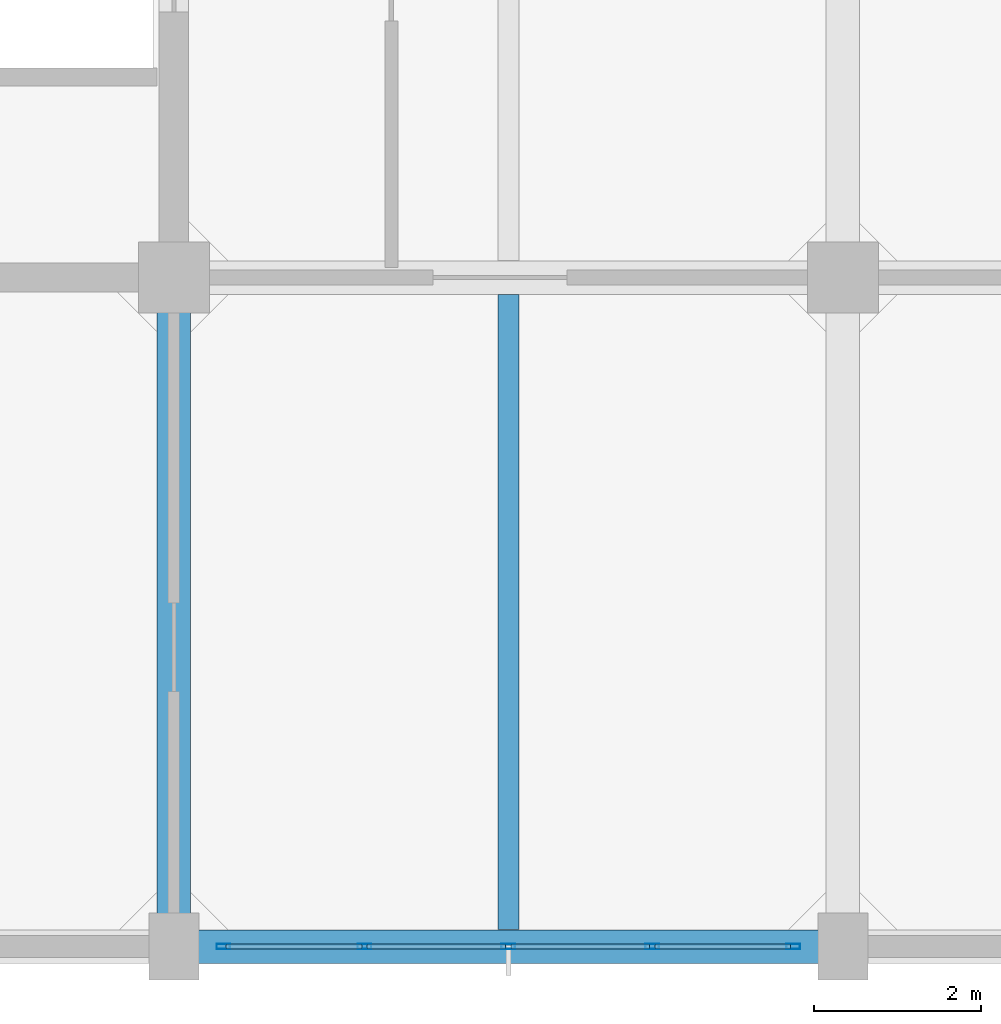
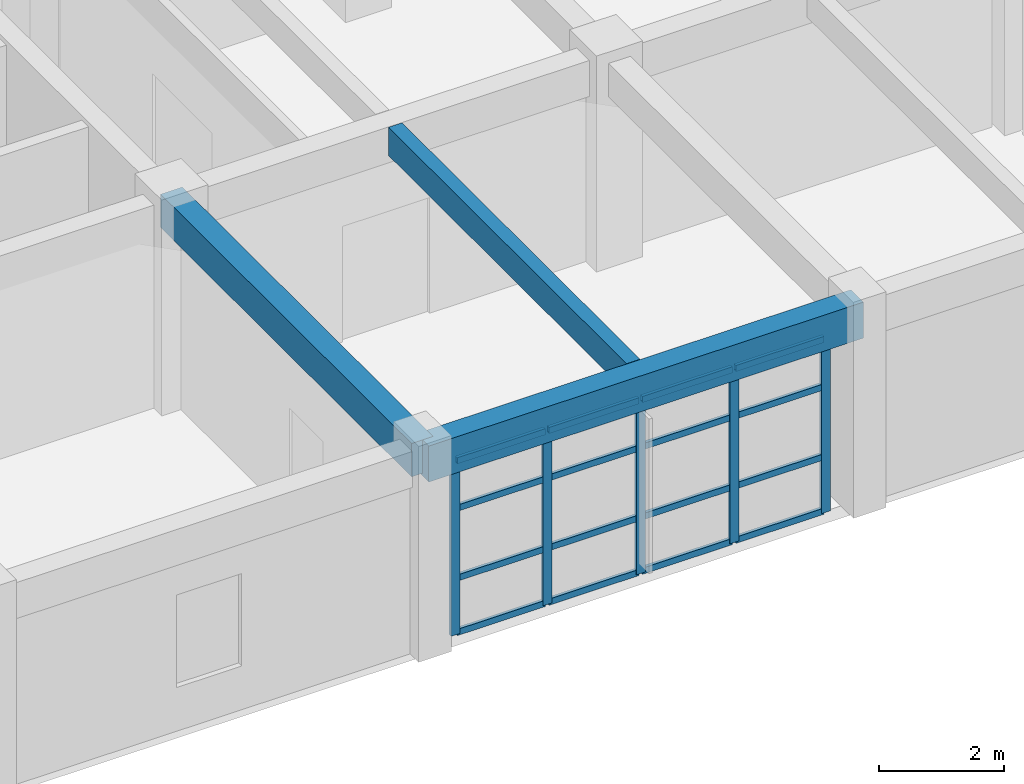
# One storey, part 5 of 27: 21 members, 3 beams, 1 element without a shape of its own.
"""IFC4 building model written with IfcOpenShell, lengths in metres."""

from ifc_helpers import new_model, si_unit, direction, frame, origin, origin_2d, place, context, subcontext, project, spatial, rectangle, hollow_rectangle, extrude, material, layer, layer_set, material_profile, profile_set, type_object, element, aggregate, save


model = new_model("IFC4")

# Units and contexts
model_context = context("Model", 3, precision=1e-05, world=origin(), true_north=direction((0.0, 1.0)))
body_context = subcontext(model_context, "Body", "Model", "MODEL_VIEW")
ifc_project = project(units=[si_unit("LENGTHUNIT", "METRE"), si_unit("AREAUNIT", "SQUARE_METRE"), si_unit("VOLUMEUNIT", "CUBIC_METRE"), si_unit("PLANEANGLEUNIT", "RADIAN"), si_unit("MASSUNIT", "GRAM", prefix="KILO")], contexts=[model_context])

# Site, building, storey
site_placement = place(None, origin())
site = spatial("IfcSite", under=ifc_project, at=site_placement, CompositionType="ELEMENT")
building_placement = place(site_placement, origin())
building = spatial("IfcBuilding", under=site, at=building_placement, Name="Canggui Botanical Conservatory", CompositionType="ELEMENT")
storey_placement = place(building_placement, frame((0.0, 0.0, 31.800048828125)))
storey = spatial("IfcBuildingStorey", under=building, at=storey_placement, Name="L08", CompositionType="ELEMENT", Elevation=31.800048828125)

# Beams
ifc_material_1 = material(Name="Concrete C35", Category="concrete")
ifc_material_profile_1 = material_profile(ifc_material_1, rectangle(XDim=0.25, YDim=0.550048828125, at=origin_2d()), Name="RB 250x550")
ifc_profile_set_1 = profile_set([ifc_material_profile_1], Name="Concrete C35")
beam_type_1 = type_object("IfcBeamType", Name="BM-JST03", PredefinedType="JOIST", material=ifc_profile_set_1)
beam_1_placement = place(storey_placement, frame((166.0, 34.205078125, 3.704833984375), z_axis=(0.0, 1.0, 0.0), x_axis=(-1.0, 0.0, 0.0)))
element("IfcBeam", 1, at=beam_1_placement, inside=storey, type_object=beam_type_1, Name="Secondary Floor Joist L08-4-1", PredefinedType="JOIST", context=body_context, shape_type="SweptSolid", body=[
    extrude(rectangle(XDim=0.25, YDim=0.550048828125, at=origin_2d()), origin(), (0.0, 0.0, 1.0), 7.58984375),
])
ifc_material_profile_2 = material_profile(ifc_material_1, rectangle(XDim=0.39990234375, YDim=0.699951171875, at=origin_2d()), Name="RB 400x700")
ifc_profile_set_2 = profile_set([ifc_material_profile_2], Name="Concrete C35")
beam_type_2 = type_object("IfcBeamType", Name="BM-KL11", PredefinedType="BEAM", material=ifc_profile_set_2)
beam_2_placement = place(storey_placement, frame((162.0, 34.0, 3.6298828125), z_axis=(1.0, 0.0, 0.0), x_axis=(0.0, 1.0, 0.0)))
element("IfcBeam", 2, at=beam_2_placement, inside=storey, type_object=beam_type_2, Name="Frame Girder L08 Y34-4", PredefinedType="BEAM", context=body_context, shape_type="SweptSolid", body=[
    extrude(rectangle(XDim=0.39990234375, YDim=0.699951171875, at=origin_2d()), origin(), (0.0, 0.0, 1.0), 8.0),
])
ifc_material_profile_3 = material_profile(ifc_material_1, rectangle(XDim=0.39990234375, YDim=0.64990234375, at=origin_2d()), Name="RB 400x650")
ifc_profile_set_3 = profile_set([ifc_material_profile_3], Name="Concrete C35")
beam_type_3 = type_object("IfcBeamType", Name="BM-KL12", PredefinedType="BEAM", material=ifc_profile_set_3)
beam_3_placement = place(storey_placement, frame((162.0, 34.0, 3.655029296875), z_axis=(0.0, 1.0, 0.0), x_axis=(-1.0, 0.0, 0.0)))
element("IfcBeam", 3, at=beam_3_placement, inside=storey, type_object=beam_type_3, Name="Frame Girder L08 X162-1", PredefinedType="BEAM", context=body_context, shape_type="SweptSolid", body=[
    extrude(rectangle(XDim=0.39990234375, YDim=0.64990234375, at=origin_2d()), origin(), (0.0, 0.0, 1.0), 8.0),
])

# Curtain wall, members
ifc_material_2 = material(Name="Thermally Broken Aluminium", Category="aluminium")
ifc_layer = layer(ifc_material_2, 0.1650390625, Name="Thermally Broken Aluminium", Category="aluminium")
ifc_layer_set = layer_set([ifc_layer], Name="Thermally Broken Aluminium")
curtain_wall_type = type_object("IfcCurtainWallType", Name="CW-UNIT-B", PredefinedType="USERDEFINED", material=ifc_layer_set)
curtain_wall_placement = place(storey_placement, origin())
curtain_wall = element("IfcCurtainWall", 4, at=curtain_wall_placement, inside=storey, type_object=curtain_wall_type, Name="Facade Curtain Wall CW-TWR-L08-02", ObjectType="UNITISED CURTAIN WALL", PredefinedType="USERDEFINED")
ifc_material_profile_4 = material_profile(ifc_material_2, hollow_rectangle(XDim=0.06494140625, YDim=0.1650390625, WallThickness=0.00390625, at=origin_2d()), Name="CWM 65x165x4")
ifc_profile_set_4 = profile_set([ifc_material_profile_4], Name="Thermally Broken Aluminium")
member_type_1 = type_object("IfcMemberType", Name="CWM-02", PredefinedType="MULLION", material=ifc_profile_set_4)
member_1_placement = place(storey_placement, frame((169.407470703125, 34.0, 0.0), z_axis=(0.0, 0.0, 1.0), x_axis=(0.0, -1.0, 0.0)))
member_1 = element("IfcMember", 5, at=member_1_placement, type_object=member_type_1, Name="CW-02 mullion 1", PredefinedType="MULLION", context=body_context, shape_type="SweptSolid", body=[
    extrude(hollow_rectangle(XDim=0.06494140625, YDim=0.1650390625, WallThickness=0.00390625, at=origin_2d()), origin(), (0.0, 0.0, 1.0), 3.39990234375),
])
member_2_placement = place(storey_placement, frame((167.719970703125, 34.0, 0.0), z_axis=(0.0, 0.0, 1.0), x_axis=(0.0, -1.0, 0.0)))
member_2 = element("IfcMember", 6, at=member_2_placement, type_object=member_type_1, Name="CW-02 mullion 2", PredefinedType="MULLION", context=body_context, shape_type="SweptSolid", body=[
    extrude(hollow_rectangle(XDim=0.06494140625, YDim=0.1650390625, WallThickness=0.00390625, at=origin_2d()), origin(), (0.0, 0.0, 1.0), 3.39990234375),
])
member_3_placement = place(storey_placement, frame((166.0, 34.0, 0.0), z_axis=(0.0, 0.0, 1.0), x_axis=(0.0, -1.0, 0.0)))
member_3 = element("IfcMember", 7, at=member_3_placement, type_object=member_type_1, Name="CW-02 mullion 3", PredefinedType="MULLION", context=body_context, shape_type="SweptSolid", body=[
    extrude(hollow_rectangle(XDim=0.06494140625, YDim=0.1650390625, WallThickness=0.00390625, at=origin_2d()), origin(), (0.0, 0.0, 1.0), 3.39990234375),
])
member_4_placement = place(storey_placement, frame((164.280029296875, 34.0, 0.0), z_axis=(0.0, 0.0, 1.0), x_axis=(0.0, -1.0, 0.0)))
member_4 = element("IfcMember", 8, at=member_4_placement, type_object=member_type_1, Name="CW-02 mullion 4", PredefinedType="MULLION", context=body_context, shape_type="SweptSolid", body=[
    extrude(hollow_rectangle(XDim=0.06494140625, YDim=0.1650390625, WallThickness=0.00390625, at=origin_2d()), origin(), (0.0, 0.0, 1.0), 3.39990234375),
])
member_5_placement = place(storey_placement, frame((162.592529296875, 34.0, 0.0), z_axis=(0.0, 0.0, 1.0), x_axis=(0.0, -1.0, 0.0)))
member_5 = element("IfcMember", 9, at=member_5_placement, type_object=member_type_1, Name="CW-02 mullion 5", PredefinedType="MULLION", context=body_context, shape_type="SweptSolid", body=[
    extrude(hollow_rectangle(XDim=0.06494140625, YDim=0.1650390625, WallThickness=0.00390625, at=origin_2d()), origin(), (0.0, 0.0, 1.0), 3.39990234375),
])
ifc_material_profile_5 = material_profile(ifc_material_2, hollow_rectangle(XDim=0.06005859375, YDim=0.1201171875, WallThickness=0.00341796875, at=origin_2d()), Name="CWT 60x120x3.5")
ifc_profile_set_5 = profile_set([ifc_material_profile_5], Name="Thermally Broken Aluminium")
member_type_2 = type_object("IfcMemberType", Name="CWT-02", PredefinedType="USERDEFINED", material=ifc_profile_set_5)
member_6_placement = place(storey_placement, frame((169.375, 34.0, 0.030029296875), z_axis=(-1.0, 0.0, 0.0), x_axis=(0.0, -1.0, 0.0)))
member_6 = element("IfcMember", 10, at=member_6_placement, type_object=member_type_2, Name="CW-02 transom 1.1", ObjectType="TRANSOM", PredefinedType="USERDEFINED", context=body_context, shape_type="SweptSolid", body=[
    extrude(hollow_rectangle(XDim=0.06005859375, YDim=0.1201171875, WallThickness=0.00341796875, at=origin_2d()), origin(), (0.0, 0.0, 1.0), 1.62255859375),
])
member_7_placement = place(storey_placement, frame((169.375, 34.0, 1.087890625), z_axis=(-1.0, 0.0, 0.0), x_axis=(0.0, -1.0, 0.0)))
member_7 = element("IfcMember", 11, at=member_7_placement, type_object=member_type_2, Name="CW-02 transom 1.2", ObjectType="TRANSOM", PredefinedType="USERDEFINED", context=body_context, shape_type="SweptSolid", body=[
    extrude(hollow_rectangle(XDim=0.06005859375, YDim=0.1201171875, WallThickness=0.00341796875, at=origin_2d()), origin(), (0.0, 0.0, 1.0), 1.62255859375),
])
member_8_placement = place(storey_placement, frame((169.375, 34.0, 2.447998046875), z_axis=(-1.0, 0.0, 0.0), x_axis=(0.0, -1.0, 0.0)))
member_8 = element("IfcMember", 12, at=member_8_placement, type_object=member_type_2, Name="CW-02 transom 1.3", ObjectType="TRANSOM", PredefinedType="USERDEFINED", context=body_context, shape_type="SweptSolid", body=[
    extrude(hollow_rectangle(XDim=0.06005859375, YDim=0.1201171875, WallThickness=0.00341796875, at=origin_2d()), origin(), (0.0, 0.0, 1.0), 1.62255859375),
])
member_9_placement = place(storey_placement, frame((169.375, 34.0, 3.369873046875), z_axis=(-1.0, 0.0, 0.0), x_axis=(0.0, -1.0, 0.0)))
member_9 = element("IfcMember", 13, at=member_9_placement, type_object=member_type_2, Name="CW-02 transom 1.4", ObjectType="TRANSOM", PredefinedType="USERDEFINED", context=body_context, shape_type="SweptSolid", body=[
    extrude(hollow_rectangle(XDim=0.06005859375, YDim=0.1201171875, WallThickness=0.00341796875, at=origin_2d()), origin(), (0.0, 0.0, 1.0), 1.62255859375),
])
member_10_placement = place(storey_placement, frame((167.6875, 34.0, 0.030029296875), z_axis=(-1.0, 0.0, 0.0), x_axis=(0.0, -1.0, 0.0)))
member_10 = element("IfcMember", 14, at=member_10_placement, type_object=member_type_2, Name="CW-02 transom 2.1", ObjectType="TRANSOM", PredefinedType="USERDEFINED", context=body_context, shape_type="SweptSolid", body=[
    extrude(hollow_rectangle(XDim=0.06005859375, YDim=0.1201171875, WallThickness=0.00341796875, at=origin_2d()), origin(), (0.0, 0.0, 1.0), 1.655029296875),
])
member_11_placement = place(storey_placement, frame((167.6875, 34.0, 1.087890625), z_axis=(-1.0, 0.0, 0.0), x_axis=(0.0, -1.0, 0.0)))
member_11 = element("IfcMember", 15, at=member_11_placement, type_object=member_type_2, Name="CW-02 transom 2.2", ObjectType="TRANSOM", PredefinedType="USERDEFINED", context=body_context, shape_type="SweptSolid", body=[
    extrude(hollow_rectangle(XDim=0.06005859375, YDim=0.1201171875, WallThickness=0.00341796875, at=origin_2d()), origin(), (0.0, 0.0, 1.0), 1.655029296875),
])
member_12_placement = place(storey_placement, frame((167.6875, 34.0, 2.447998046875), z_axis=(-1.0, 0.0, 0.0), x_axis=(0.0, -1.0, 0.0)))
member_12 = element("IfcMember", 16, at=member_12_placement, type_object=member_type_2, Name="CW-02 transom 2.3", ObjectType="TRANSOM", PredefinedType="USERDEFINED", context=body_context, shape_type="SweptSolid", body=[
    extrude(hollow_rectangle(XDim=0.06005859375, YDim=0.1201171875, WallThickness=0.00341796875, at=origin_2d()), origin(), (0.0, 0.0, 1.0), 1.655029296875),
])
member_13_placement = place(storey_placement, frame((167.6875, 34.0, 3.369873046875), z_axis=(-1.0, 0.0, 0.0), x_axis=(0.0, -1.0, 0.0)))
member_13 = element("IfcMember", 17, at=member_13_placement, type_object=member_type_2, Name="CW-02 transom 2.4", ObjectType="TRANSOM", PredefinedType="USERDEFINED", context=body_context, shape_type="SweptSolid", body=[
    extrude(hollow_rectangle(XDim=0.06005859375, YDim=0.1201171875, WallThickness=0.00341796875, at=origin_2d()), origin(), (0.0, 0.0, 1.0), 1.655029296875),
])
member_14_placement = place(storey_placement, frame((165.967529296875, 34.0, 0.030029296875), z_axis=(-1.0, 0.0, 0.0), x_axis=(0.0, -1.0, 0.0)))
member_14 = element("IfcMember", 18, at=member_14_placement, type_object=member_type_2, Name="CW-02 transom 3.1", ObjectType="TRANSOM", PredefinedType="USERDEFINED", context=body_context, shape_type="SweptSolid", body=[
    extrude(hollow_rectangle(XDim=0.06005859375, YDim=0.1201171875, WallThickness=0.00341796875, at=origin_2d()), origin(), (0.0, 0.0, 1.0), 1.655029296875),
])
member_15_placement = place(storey_placement, frame((165.967529296875, 34.0, 1.087890625), z_axis=(-1.0, 0.0, 0.0), x_axis=(0.0, -1.0, 0.0)))
member_15 = element("IfcMember", 19, at=member_15_placement, type_object=member_type_2, Name="CW-02 transom 3.2", ObjectType="TRANSOM", PredefinedType="USERDEFINED", context=body_context, shape_type="SweptSolid", body=[
    extrude(hollow_rectangle(XDim=0.06005859375, YDim=0.1201171875, WallThickness=0.00341796875, at=origin_2d()), origin(), (0.0, 0.0, 1.0), 1.655029296875),
])
member_16_placement = place(storey_placement, frame((165.967529296875, 34.0, 2.447998046875), z_axis=(-1.0, 0.0, 0.0), x_axis=(0.0, -1.0, 0.0)))
member_16 = element("IfcMember", 20, at=member_16_placement, type_object=member_type_2, Name="CW-02 transom 3.3", ObjectType="TRANSOM", PredefinedType="USERDEFINED", context=body_context, shape_type="SweptSolid", body=[
    extrude(hollow_rectangle(XDim=0.06005859375, YDim=0.1201171875, WallThickness=0.00341796875, at=origin_2d()), origin(), (0.0, 0.0, 1.0), 1.655029296875),
])
member_17_placement = place(storey_placement, frame((165.967529296875, 34.0, 3.369873046875), z_axis=(-1.0, 0.0, 0.0), x_axis=(0.0, -1.0, 0.0)))
member_17 = element("IfcMember", 21, at=member_17_placement, type_object=member_type_2, Name="CW-02 transom 3.4", ObjectType="TRANSOM", PredefinedType="USERDEFINED", context=body_context, shape_type="SweptSolid", body=[
    extrude(hollow_rectangle(XDim=0.06005859375, YDim=0.1201171875, WallThickness=0.00341796875, at=origin_2d()), origin(), (0.0, 0.0, 1.0), 1.655029296875),
])
member_18_placement = place(storey_placement, frame((164.24755859375, 34.0, 0.030029296875), z_axis=(-1.0, 0.0, 0.0), x_axis=(0.0, -1.0, 0.0)))
member_18 = element("IfcMember", 22, at=member_18_placement, type_object=member_type_2, Name="CW-02 transom 4.1", ObjectType="TRANSOM", PredefinedType="USERDEFINED", context=body_context, shape_type="SweptSolid", body=[
    extrude(hollow_rectangle(XDim=0.06005859375, YDim=0.1201171875, WallThickness=0.00341796875, at=origin_2d()), origin(), (0.0, 0.0, 1.0), 1.62255859375),
])
member_19_placement = place(storey_placement, frame((164.24755859375, 34.0, 1.087890625), z_axis=(-1.0, 0.0, 0.0), x_axis=(0.0, -1.0, 0.0)))
member_19 = element("IfcMember", 23, at=member_19_placement, type_object=member_type_2, Name="CW-02 transom 4.2", ObjectType="TRANSOM", PredefinedType="USERDEFINED", context=body_context, shape_type="SweptSolid", body=[
    extrude(hollow_rectangle(XDim=0.06005859375, YDim=0.1201171875, WallThickness=0.00341796875, at=origin_2d()), origin(), (0.0, 0.0, 1.0), 1.62255859375),
])
member_20_placement = place(storey_placement, frame((164.24755859375, 34.0, 2.447998046875), z_axis=(-1.0, 0.0, 0.0), x_axis=(0.0, -1.0, 0.0)))
member_20 = element("IfcMember", 24, at=member_20_placement, type_object=member_type_2, Name="CW-02 transom 4.3", ObjectType="TRANSOM", PredefinedType="USERDEFINED", context=body_context, shape_type="SweptSolid", body=[
    extrude(hollow_rectangle(XDim=0.06005859375, YDim=0.1201171875, WallThickness=0.00341796875, at=origin_2d()), origin(), (0.0, 0.0, 1.0), 1.62255859375),
])
member_21_placement = place(storey_placement, frame((164.24755859375, 34.0, 3.369873046875), z_axis=(-1.0, 0.0, 0.0), x_axis=(0.0, -1.0, 0.0)))
member_21 = element("IfcMember", 25, at=member_21_placement, type_object=member_type_2, Name="CW-02 transom 4.4", ObjectType="TRANSOM", PredefinedType="USERDEFINED", context=body_context, shape_type="SweptSolid", body=[
    extrude(hollow_rectangle(XDim=0.06005859375, YDim=0.1201171875, WallThickness=0.00341796875, at=origin_2d()), origin(), (0.0, 0.0, 1.0), 1.62255859375),
])
aggregate(curtain_wall, [member_1, member_2, member_3, member_4, member_5, member_6, member_7, member_8, member_9, member_10, member_11, member_12, member_13, member_14, member_15, member_16, member_17, member_18, member_19, member_20, member_21])

save(model, "model.ifc")
